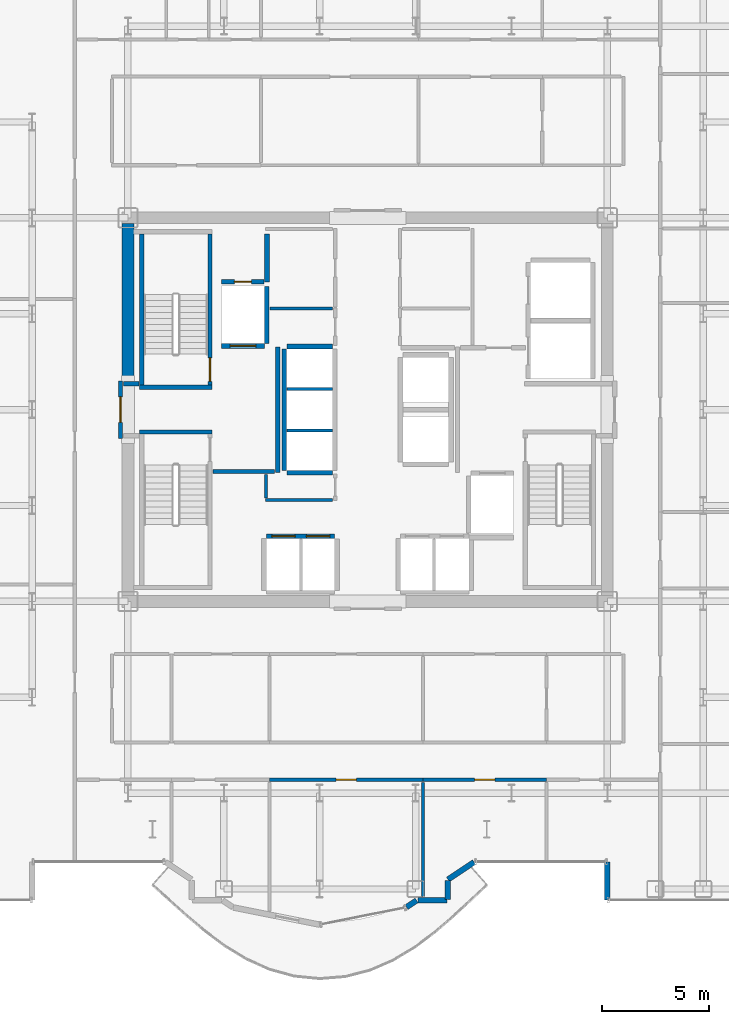
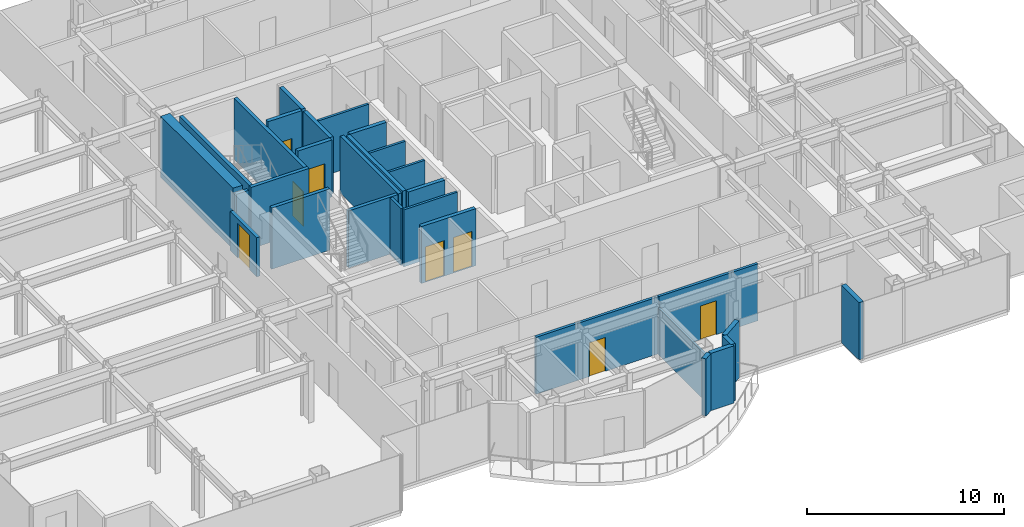
# One storey, part 16 of 23: 30 walls, 8 doors, 8 openings.
"""IFC4 building model written with IfcOpenShell, lengths in metres."""

from ifc_helpers import new_model, si_unit, direction, frame, frame_2d, origin, place, context, subcontext, project, spatial, rectangle, extrude, source, transform, mapped, material, layer, layer_set, type_object, element, fill, save


model = new_model("IFC4")

# Units and contexts
model_context = context("Model", 3, precision=1e-05, world=origin(), true_north=direction((0.0, 1.0)))
body_context = subcontext(model_context, "Body", "Model", "MODEL_VIEW")
ifc_project = project(units=[si_unit("LENGTHUNIT", "METRE"), si_unit("AREAUNIT", "SQUARE_METRE"), si_unit("VOLUMEUNIT", "CUBIC_METRE"), si_unit("PLANEANGLEUNIT", "RADIAN"), si_unit("MASSUNIT", "GRAM", prefix="KILO")], contexts=[model_context])

# Site, building, storey
site_placement = place(None, origin())
site = spatial("IfcSite", under=ifc_project, at=site_placement, CompositionType="ELEMENT")
building_placement = place(site_placement, origin())
building = spatial("IfcBuilding", under=site, at=building_placement, Name="Nefas-Gora Pilgrimage Tower", CompositionType="ELEMENT")
storey_placement = place(building_placement, frame((0.0, 0.0, 156.39990234375)))
storey = spatial("IfcBuildingStorey", under=building, at=storey_placement, Name="L38", CompositionType="ELEMENT", Elevation=156.39990234375)

# Walls
ifc_material_1 = material(Name="Concrete C60/75", Category="concrete")
ifc_layer_1 = layer(ifc_material_1, 0.550048828125)
ifc_layer_set_1 = layer_set([ifc_layer_1], Name="Concrete C60/75")
wall_type_1 = type_object("IfcWallType", Name="SW-CORE-550", PredefinedType="SHEAR", material=ifc_layer_set_1)
shared_shape_1 = source(origin(), body_context, "Body", "SweptSolid", [
    extrude(rectangle(XDim=7.375, YDim=0.550048828125, at=frame_2d((3.6875, 0.0))), origin(), (0.0, 0.0, 1.0), 3.800048828125),
])
wall_1_placement = place(storey_placement, frame((-11.25, 1.35009765625, 0.0), z_axis=(0.0, 0.0, 1.0), x_axis=(0.0, 1.0, 0.0)))
element("IfcWall", 1, at=wall_1_placement, inside=storey, type_object=wall_type_1, Name="L38 Core Shear Wall W-North", PredefinedType="SHEAR", context=body_context, shape_type="MappedRepresentation", body=[
    mapped(shared_shape_1, transform((0.0, 0.0, 0.0), x_axis=(1.0, 0.0, 0.0), y_axis=(0.0, 1.0, 0.0), z_axis=(0.0, 0.0, 1.0), scale=1.0)),
])
ifc_material_2 = material(Name="Precast concrete C40/50", Category="concrete")
ifc_layer_2 = layer(ifc_material_2, 0.260009765625)
ifc_layer_set_2 = layer_set([ifc_layer_2], Name="Precast concrete C40/50")
wall_type_2 = type_object("IfcWallType", Name="EW-PORTAL-260", PredefinedType="SOLIDWALL", material=ifc_layer_set_2)
shared_shape_2 = source(origin(), body_context, "Body", "SweptSolid", [
    extrude(rectangle(XDim=1.800048828125, YDim=0.260009765625, at=frame_2d((0.89990234375, 0.0))), origin(), (0.0, 0.0, 1.0), 3.550048828125),
])
wall_2_placement = place(storey_placement, frame((11.25, -21.219970703125, 0.0), z_axis=(0.0, 0.0, 1.0), x_axis=(0.0, -1.0, 0.0)))
element("IfcWall", 2, at=wall_2_placement, inside=storey, type_object=wall_type_2, Name="L38 Lobe Shoulder Precast Spandrel Pier 1", PredefinedType="SOLIDWALL", context=body_context, shape_type="MappedRepresentation", body=[
    mapped(shared_shape_2, transform((0.0, 0.0, 0.0), x_axis=(1.0, 0.0, 0.0), y_axis=(0.0, 1.0, 0.0), z_axis=(0.0, 0.0, 1.0), scale=1.0)),
])
shared_shape_3 = source(origin(), body_context, "Body", "SweptSolid", [
    extrude(rectangle(XDim=1.468994140625, YDim=0.260009765625, at=frame_2d((0.734375, 0.0))), origin(), (0.0, 0.0, 1.0), 3.550048828125),
])
wall_3_placement = place(storey_placement, frame((3.773193359375, -22.0517578125, 0.0), z_axis=(0.0, 0.0, 1.0), x_axis=(0.831461760506, 0.555581983884, 0.0)))
element("IfcWall", 3, at=wall_3_placement, inside=storey, type_object=wall_type_2, Name="L38 Lobe Shoulder Precast Spandrel Pier 38", PredefinedType="SOLIDWALL", context=body_context, shape_type="MappedRepresentation", body=[
    mapped(shared_shape_3, transform((0.0, 0.0, 0.0), x_axis=(1.0, 0.0, 0.0), y_axis=(0.0, 1.0, 0.0), z_axis=(0.0, 0.0, 1.0), scale=1.0)),
])
shared_shape_4 = source(origin(), body_context, "Body", "SweptSolid", [
    extrude(rectangle(XDim=0.896728515625, YDim=0.260009765625, at=frame_2d((0.4482421875, 0.0))), origin(), (0.0, 0.0, 1.0), 3.550048828125),
])
wall_4_placement = place(storey_placement, frame((3.75, -22.991943359375, 0.0), z_axis=(0.0, 0.0, 1.0), x_axis=(0.0, 1.0, 0.0)))
element("IfcWall", 4, at=wall_4_placement, inside=storey, type_object=wall_type_2, Name="L38 Lobe Shoulder Precast Spandrel Pier 37", PredefinedType="SOLIDWALL", context=body_context, shape_type="MappedRepresentation", body=[
    mapped(shared_shape_4, transform((0.0, 0.0, 0.0), x_axis=(1.0, 0.0, 0.0), y_axis=(0.0, 1.0, 0.0), z_axis=(0.0, 0.0, 1.0), scale=1.0)),
])
shared_shape_5 = source(origin(), body_context, "Body", "SweptSolid", [
    extrude(rectangle(XDim=1.369873046875, YDim=0.260009765625, at=frame_2d((0.68505859375, 0.0))), origin(), (0.0, 0.0, 1.0), 3.550048828125),
])
wall_5_placement = place(storey_placement, frame((2.35205078125, -23.02001953125, 0.0), z_axis=(0.0, 0.0, 1.0), x_axis=(1.0, 0.0, 0.0)))
element("IfcWall", 5, at=wall_5_placement, inside=storey, type_object=wall_type_2, Name="L38 Lobe Shoulder Precast Spandrel Pier 36", PredefinedType="SOLIDWALL", context=body_context, shape_type="MappedRepresentation", body=[
    mapped(shared_shape_5, transform((0.0, 0.0, 0.0), x_axis=(1.0, 0.0, 0.0), y_axis=(0.0, 1.0, 0.0), z_axis=(0.0, 0.0, 1.0), scale=1.0)),
])
shared_shape_6 = source(origin(), body_context, "Body", "SweptSolid", [
    extrude(rectangle(XDim=0.5654296875, YDim=0.260009765625, at=frame_2d((0.28271484375, 0.0))), origin(), (0.0, 0.0, 1.0), 3.550048828125),
])
wall_6_placement = place(storey_placement, frame((1.83056640625, -23.349609375, 0.0), z_axis=(0.0, 0.0, 1.0), x_axis=(0.831651492666, 0.555297933317, 0.0)))
element("IfcWall", 6, at=wall_6_placement, inside=storey, type_object=wall_type_2, Name="L38 Lobe Shoulder Precast Spandrel Pier 35", PredefinedType="SOLIDWALL", context=body_context, shape_type="MappedRepresentation", body=[
    mapped(shared_shape_6, transform((0.0, 0.0, 0.0), x_axis=(1.0, 0.0, 0.0), y_axis=(0.0, 1.0, 0.0), z_axis=(0.0, 0.0, 1.0), scale=1.0)),
])
ifc_material_3 = material(Name="Concrete C45/55", Category="concrete")
ifc_layer_3 = layer(ifc_material_3, 0.199951171875)
ifc_layer_set_3 = layer_set([ifc_layer_3], Name="Concrete C45/55")
wall_type_3 = type_object("IfcWallType", Name="IW-STAIR-200", PredefinedType="SOLIDWALL", material=ifc_layer_set_3)
shared_shape_7 = source(origin(), body_context, "Body", "SweptSolid", [
    extrude(rectangle(XDim=3.39990234375, YDim=0.199951171875, at=frame_2d((1.699951171875, 0.0))), origin(), (0.0, 0.0, 1.0), 3.800048828125),
])
for number, where, z_axis, x_axis, name in (
    (7, (-7.300048828125, 1.050048828125, 0.0), (0.0, 0.0, 1.0), (-1.0, 0.0, 0.0), "L38 Stairwell Shear Wall ST-01-near"),
    (8, (-10.699951171875, -1.050048828125, 0.0), (0.0, 0.0, 1.0), (1.0, 0.0, 0.0), "L38 Stairwell Shear Wall ST-03-near"),
):
    element("IfcWall", number, at=place(storey_placement, frame(where, z_axis=z_axis, x_axis=x_axis)), inside=storey, type_object=wall_type_3, Name=name, PredefinedType="SOLIDWALL", context=body_context, shape_type="MappedRepresentation", body=[
        mapped(shared_shape_7, transform((0.0, 0.0, 0.0), x_axis=(1.0, 0.0, 0.0), y_axis=(0.0, 1.0, 0.0), z_axis=(0.0, 0.0, 1.0), scale=1.0)),
    ])

# Wall, opening, door
shared_shape_8 = source(origin(), body_context, "Body", "SweptSolid", [
    extrude(rectangle(XDim=7.10009765625, YDim=0.199951171875, at=frame_2d((3.550048828125, 0.0))), origin(), (0.0, 0.0, 1.0), 3.800048828125),
])
wall_7_placement = place(storey_placement, frame((-7.39990234375, 1.14990234375, 0.0), z_axis=(0.0, 0.0, 1.0), x_axis=(0.0, 1.0, 0.0)))
wall_7 = element("IfcWall", 9, at=wall_7_placement, inside=storey, type_object=wall_type_3, Name="L38 Stairwell Shear Wall ST-01-left", PredefinedType="SOLIDWALL", context=body_context, shape_type="MappedRepresentation", body=[
    mapped(shared_shape_8, transform((0.0, 0.0, 0.0), x_axis=(1.0, 0.0, 0.0), y_axis=(0.0, 1.0, 0.0), z_axis=(0.0, 0.0, 1.0), scale=1.0)),
])
opening_1_placement = place(wall_7_placement, frame((0.179931640625, 0.0, 0.0)))
opening_1 = element("IfcOpeningElement", 10, at=opening_1_placement, cuts=wall_7, Name="Opening ID-ST1", PredefinedType="OPENING", context=body_context, shape_type="SweptSolid", body=[
    extrude(rectangle(XDim=1.10009765625, YDim=2.14990234375, at=frame_2d((0.550048828125, 1.074951171875))), frame((0.0, 0.10986328125, 0.0), z_axis=(0.0, -1.0, 0.0), x_axis=(1.0, 0.0, 0.0)), (0.0, 0.0, 1.0), 0.219970703125),
])
ifc_material_4 = material(Name="Painted galvanised steel fire stair door", Category="steel")
door_type_1 = type_object("IfcDoorType", Name="DR-INT-STAIR-1100", OperationType="NOTDEFINED", PredefinedType="DOOR", material=ifc_material_4)
shared_shape_9 = source(origin(), body_context, "Body", "SweptSolid", [
    extrude(rectangle(XDim=1.10009765625, YDim=2.14990234375, at=frame_2d((0.550048828125, 1.074951171875))), frame((0.0, 0.02490234375, 0.0), z_axis=(0.0, -1.0, 0.0), x_axis=(1.0, 0.0, 0.0)), (0.0, 0.0, 1.0), 0.050048828125),
])
door_1_placement = place(opening_1_placement, origin())
door_1 = element("IfcDoor", 11, at=door_1_placement, inside=storey, type_object=door_type_1, Name="L38 Protected Exit Stair Door ST-01", OperationType="SINGLE_SWING_RIGHT", OverallHeight=2.14990234375, OverallWidth=1.10009765625, PredefinedType="DOOR", context=body_context, shape_type="MappedRepresentation", body=[
    mapped(shared_shape_9, transform((0.0, 0.0, 0.0), x_axis=(1.0, 0.0, 0.0), y_axis=(0.0, 1.0, 0.0), z_axis=(0.0, 0.0, 1.0), scale=1.0)),
])
fill(opening_1, door_1)

# Wall
wall_8_placement = place(storey_placement, frame((-10.60009765625, 1.14990234375, 0.0), z_axis=(0.0, 0.0, 1.0), x_axis=(0.0, 1.0, 0.0)))
element("IfcWall", 12, at=wall_8_placement, inside=storey, type_object=wall_type_3, Name="L38 Stairwell Shear Wall ST-01-right", PredefinedType="SOLIDWALL", context=body_context, shape_type="MappedRepresentation", body=[
    mapped(shared_shape_8, transform((0.0, 0.0, 0.0), x_axis=(1.0, 0.0, 0.0), y_axis=(0.0, 1.0, 0.0), z_axis=(0.0, 0.0, 1.0), scale=1.0)),
])

# Wall, opening, door
ifc_material_5 = material(Name="Concrete C40/50", Category="concrete")
ifc_layer_4 = layer(ifc_material_5, 0.219970703125)
ifc_layer_set_4 = layer_set([ifc_layer_4], Name="Concrete C40/50")
wall_type_4 = type_object("IfcWallType", Name="IW-SHAFT-220", PredefinedType="SOLIDWALL", material=ifc_layer_set_4)
shared_shape_10 = source(origin(), body_context, "Body", "SweptSolid", [
    extrude(rectangle(XDim=2.0, YDim=0.219970703125, at=frame_2d((1.0, 0.0))), origin(), (0.0, 0.0, 1.0), 3.53515625),
])
wall_9_placement = place(storey_placement, frame((-6.85009765625, 2.989990234375, 0.0), z_axis=(0.0, 0.0, 1.0), x_axis=(1.0, 0.0, 0.0)))
wall_9 = element("IfcWall", 13, at=wall_9_placement, inside=storey, type_object=wall_type_4, Name="L38 Hoistway Wall FFL-01-S", PredefinedType="SOLIDWALL", context=body_context, shape_type="MappedRepresentation", body=[
    mapped(shared_shape_10, transform((0.0, 0.0, 0.0), x_axis=(1.0, 0.0, 0.0), y_axis=(0.0, 1.0, 0.0), z_axis=(0.0, 0.0, 1.0), scale=1.0)),
])
opening_2_placement = place(wall_9_placement, frame((0.39990234375, 0.0, 0.0)))
opening_2 = element("IfcOpeningElement", 14, at=opening_2_placement, cuts=wall_9, Name="Opening LD-FF", PredefinedType="OPENING", context=body_context, shape_type="SweptSolid", body=[
    extrude(rectangle(XDim=1.199951171875, YDim=2.199951171875, at=frame_2d((0.60009765625, 1.10009765625))), frame((0.0, 0.119873046875, 0.0), z_axis=(0.0, -1.0, 0.0), x_axis=(1.0, 0.0, 0.0)), (0.0, 0.0, 1.0), 0.239990234375),
])
ifc_material_6 = material(Name="Fire-service sliding lift landing door")
door_type_2 = type_object("IfcDoorType", Name="DR-LIFT-FSAE-1200", OperationType="SLIDING_TO_LEFT", PredefinedType="DOOR", material=ifc_material_6)
shared_shape_11 = source(origin(), body_context, "Body", "SweptSolid", [
    extrude(rectangle(XDim=1.199951171875, YDim=2.199951171875, at=frame_2d((0.60009765625, 1.10009765625))), frame((0.0, 0.02490234375, 0.0), z_axis=(0.0, -1.0, 0.0), x_axis=(1.0, 0.0, 0.0)), (0.0, 0.0, 1.0), 0.050048828125),
])
door_2_placement = place(opening_2_placement, origin())
door_2 = element("IfcDoor", 15, at=door_2_placement, inside=storey, type_object=door_type_2, Name="L38 Sliding Lift Landing Door FFL-01", OperationType="SLIDING_TO_LEFT", OverallHeight=2.199951171875, OverallWidth=1.199951171875, PredefinedType="DOOR", context=body_context, shape_type="MappedRepresentation", body=[
    mapped(shared_shape_11, transform((0.0, 0.0, 0.0), x_axis=(1.0, 0.0, 0.0), y_axis=(0.0, 1.0, 0.0), z_axis=(0.0, 0.0, 1.0), scale=1.0)),
])
fill(opening_2, door_2)

# Wall
shared_shape_12 = source(origin(), body_context, "Body", "SweptSolid", [
    extrude(rectangle(XDim=2.679931640625, YDim=0.219970703125, at=frame_2d((1.33984375, 0.0))), origin(), (0.0, 0.0, 1.0), 3.53515625),
])
wall_10_placement = place(storey_placement, frame((-4.739990234375, 3.110107421875, 0.0), z_axis=(0.0, 0.0, 1.0), x_axis=(0.0, 1.0, 0.0)))
element("IfcWall", 16, at=wall_10_placement, inside=storey, type_object=wall_type_4, Name="L38 Hoistway Wall FFL-01-E", PredefinedType="SOLIDWALL", context=body_context, shape_type="MappedRepresentation", body=[
    mapped(shared_shape_12, transform((0.0, 0.0, 0.0), x_axis=(1.0, 0.0, 0.0), y_axis=(0.0, 1.0, 0.0), z_axis=(0.0, 0.0, 1.0), scale=1.0)),
])

# Wall, openings, doors
shared_shape_13 = source(origin(), body_context, "Body", "SweptSolid", [
    extrude(rectangle(XDim=3.199951171875, YDim=0.219970703125, at=frame_2d((1.60009765625, 0.0))), origin(), (0.0, 0.0, 1.0), 3.53515625),
])
wall_11_placement = place(storey_placement, frame((-1.550048828125, -5.93994140625, 0.0), z_axis=(0.0, 0.0, 1.0), x_axis=(-1.0, 0.0, 0.0)))
wall_11 = element("IfcWall", 17, at=wall_11_placement, inside=storey, type_object=wall_type_4, Name="L38 Hoistway Wall PL2-W-N", PredefinedType="SOLIDWALL", context=body_context, shape_type="MappedRepresentation", body=[
    mapped(shared_shape_13, transform((0.0, 0.0, 0.0), x_axis=(1.0, 0.0, 0.0), y_axis=(0.0, 1.0, 0.0), z_axis=(0.0, 0.0, 1.0), scale=1.0)),
])
opening_3_placement = place(wall_11_placement, frame((1.85009765625, 0.0, 0.0)))
opening_3 = element("IfcOpeningElement", 18, at=opening_3_placement, cuts=wall_11, Name="Opening LD-01", PredefinedType="OPENING", context=body_context, shape_type="SweptSolid", body=[
    extrude(rectangle(XDim=1.10009765625, YDim=2.199951171875, at=frame_2d((0.550048828125, 1.10009765625))), frame((0.0, 0.119873046875, 0.0), z_axis=(0.0, -1.0, 0.0), x_axis=(1.0, 0.0, 0.0)), (0.0, 0.0, 1.0), 0.239990234375),
])
opening_4_placement = place(wall_11_placement, frame((0.22509765625, 0.0, 0.0)))
opening_4 = element("IfcOpeningElement", 19, at=opening_4_placement, cuts=wall_11, Name="Opening LD-01", PredefinedType="OPENING", context=body_context, shape_type="SweptSolid", body=[
    extrude(rectangle(XDim=1.10009765625, YDim=2.199951171875, at=frame_2d((0.550048828125, 1.10009765625))), frame((0.0, 0.119873046875, 0.0), z_axis=(0.0, -1.0, 0.0), x_axis=(1.0, 0.0, 0.0)), (0.0, 0.0, 1.0), 0.239990234375),
])
ifc_material_7 = material(Name="Brushed stainless sliding lift landing door")
door_type_3 = type_object("IfcDoorType", Name="DR-LIFT-PASS-1100", OperationType="DOUBLE_DOOR_SLIDING", PredefinedType="DOOR", material=ifc_material_7)
shared_shape_14 = source(origin(), body_context, "Body", "SweptSolid", [
    extrude(rectangle(XDim=1.10009765625, YDim=2.199951171875, at=frame_2d((0.550048828125, 1.10009765625))), frame((0.0, 0.02490234375, 0.0), z_axis=(0.0, -1.0, 0.0), x_axis=(1.0, 0.0, 0.0)), (0.0, 0.0, 1.0), 0.050048828125),
])
door_3_placement = place(opening_3_placement, origin())
door_3 = element("IfcDoor", 20, at=door_3_placement, inside=storey, type_object=door_type_3, Name="L38 Sliding Lift Landing Door PL2-01", OperationType="DOUBLE_DOOR_SLIDING", OverallHeight=2.199951171875, OverallWidth=1.10009765625, PredefinedType="DOOR", context=body_context, shape_type="MappedRepresentation", body=[
    mapped(shared_shape_14, transform((0.0, 0.0, 0.0), x_axis=(1.0, 0.0, 0.0), y_axis=(0.0, 1.0, 0.0), z_axis=(0.0, 0.0, 1.0), scale=1.0)),
])
fill(opening_3, door_3)
door_4_placement = place(opening_4_placement, origin())
door_4 = element("IfcDoor", 21, at=door_4_placement, inside=storey, type_object=door_type_3, Name="L38 Sliding Lift Landing Door PL2-02", OperationType="DOUBLE_DOOR_SLIDING", OverallHeight=2.199951171875, OverallWidth=1.10009765625, PredefinedType="DOOR", context=body_context, shape_type="MappedRepresentation", body=[
    mapped(shared_shape_14, transform((0.0, 0.0, 0.0), x_axis=(1.0, 0.0, 0.0), y_axis=(0.0, 1.0, 0.0), z_axis=(0.0, 0.0, 1.0), scale=1.0)),
])
fill(opening_4, door_4)

# Walls
shared_shape_15 = source(origin(), body_context, "Body", "SweptSolid", [
    extrude(rectangle(XDim=5.7001953125, YDim=0.219970703125, at=frame_2d((2.85009765625, 0.0))), origin(), (0.0, 0.0, 1.0), 3.53515625),
])
wall_12_placement = place(storey_placement, frame((-3.909912109375, 2.85009765625, 0.0), z_axis=(0.0, 0.0, 1.0), x_axis=(0.0, -1.0, 0.0)))
element("IfcWall", 22, at=wall_12_placement, inside=storey, type_object=wall_type_4, Name="L38 Hoistway Wall PL3-01-03-W", PredefinedType="SOLIDWALL", context=body_context, shape_type="MappedRepresentation", body=[
    mapped(shared_shape_15, transform((0.0, 0.0, 0.0), x_axis=(1.0, 0.0, 0.0), y_axis=(0.0, 1.0, 0.0), z_axis=(0.0, 0.0, 1.0), scale=1.0)),
])
shared_shape_16 = source(origin(), body_context, "Body", "SweptSolid", [
    extrude(rectangle(XDim=2.130126953125, YDim=0.219970703125, at=frame_2d((1.06494140625, 0.0))), origin(), (0.0, 0.0, 1.0), 3.53515625),
])
for number, where, z_axis, x_axis, name in (
    (23, (-3.7900390625, -2.9599609375, 0.0), (0.0, 0.0, 1.0), (1.0, 0.0, 0.0), "L38 Hoistway Wall PL3-01-S"),
    (24, (-1.659912109375, 2.9599609375, 0.0), (0.0, 0.0, 1.0), (-1.0, 0.0, 0.0), "L38 Hoistway Wall PL3-03-N"),
):
    element("IfcWall", number, at=place(storey_placement, frame(where, z_axis=z_axis, x_axis=x_axis)), inside=storey, type_object=wall_type_4, Name=name, PredefinedType="SOLIDWALL", context=body_context, shape_type="MappedRepresentation", body=[
        mapped(shared_shape_16, transform((0.0, 0.0, 0.0), x_axis=(1.0, 0.0, 0.0), y_axis=(0.0, 1.0, 0.0), z_axis=(0.0, 0.0, 1.0), scale=1.0)),
    ])
ifc_material_8 = material(Name="Gypsum twin-stud partition")
ifc_layer_5 = layer(ifc_material_8, 0.139892578125)
ifc_layer_set_5 = layer_set([ifc_layer_5], Name="Gypsum twin-stud partition")
wall_type_5 = type_object("IfcWallType", Name="IW-UNIT-140", PredefinedType="PARTITIONING", material=ifc_layer_set_5)
shared_shape_17 = source(origin(), body_context, "Body", "SweptSolid", [
    extrude(rectangle(XDim=2.130126953125, YDim=0.139892578125, at=frame_2d((1.06494140625, 0.0))), origin(), (0.0, 0.0, 1.0), 3.53515625),
])
for number, where, z_axis, x_axis, name in (
    (25, (-3.7900390625, -0.97509765625, 0.0), (0.0, 0.0, 1.0), (1.0, 0.0, 0.0), "L38 Hoistway Wall PL3-01-02-DIV"),
    (26, (-3.7900390625, 0.97509765625, 0.0), (0.0, 0.0, 1.0), (1.0, 0.0, 0.0), "L38 Hoistway Wall PL3-02-03-DIV"),
):
    element("IfcWall", number, at=place(storey_placement, frame(where, z_axis=z_axis, x_axis=x_axis)), inside=storey, type_object=wall_type_5, Name=name, PredefinedType="PARTITIONING", context=body_context, shape_type="MappedRepresentation", body=[
        mapped(shared_shape_17, transform((0.0, 0.0, 0.0), x_axis=(1.0, 0.0, 0.0), y_axis=(0.0, 1.0, 0.0), z_axis=(0.0, 0.0, 1.0), scale=1.0)),
    ])

# Wall, opening, door
ifc_material_9 = material(Name="Gypsum fire-rated shaftwall")
ifc_layer_6 = layer(ifc_material_9, 0.199951171875)
ifc_layer_set_6 = layer_set([ifc_layer_6], Name="Gypsum fire-rated shaftwall")
wall_type_6 = type_object("IfcWallType", Name="IW-FFLOB-200", PredefinedType="PARTITIONING", material=ifc_layer_set_6)
shared_shape_18 = source(origin(), body_context, "Body", "SweptSolid", [
    extrude(rectangle(XDim=2.7001953125, YDim=0.199951171875, at=frame_2d((1.35009765625, 0.0))), origin(), (0.0, 0.0, 1.0), 2.425048828125),
])
wall_13_placement = place(storey_placement, frame((-11.60009765625, -1.35009765625, 0.0), z_axis=(0.0, 0.0, 1.0), x_axis=(0.0, 1.0, 0.0)))
wall_13 = element("IfcWall", 27, at=wall_13_placement, inside=storey, type_object=wall_type_6, Name="L38 FF Lobby West Portal Wall 4", PredefinedType="PARTITIONING", context=body_context, shape_type="MappedRepresentation", body=[
    mapped(shared_shape_18, transform((0.0, 0.0, 0.0), x_axis=(1.0, 0.0, 0.0), y_axis=(0.0, 1.0, 0.0), z_axis=(0.0, 0.0, 1.0), scale=1.0)),
])
opening_5_placement = place(wall_13_placement, frame((0.75, 0.0, 0.0)))
opening_5 = element("IfcOpeningElement", 28, at=opening_5_placement, cuts=wall_13, Name="Opening ID-FF1", PredefinedType="OPENING", context=body_context, shape_type="SweptSolid", body=[
    extrude(rectangle(XDim=1.199951171875, YDim=2.14990234375, at=frame_2d((0.60009765625, 1.074951171875))), frame((0.0, 0.10986328125, 0.0), z_axis=(0.0, -1.0, 0.0), x_axis=(1.0, 0.0, 0.0)), (0.0, 0.0, 1.0), 0.219970703125),
])
ifc_material_10 = material(Name="Smoke-sealed steel firefighting lobby door", Category="steel")
door_type_4 = type_object("IfcDoorType", Name="DR-INT-FFLOB-1200", OperationType="NOTDEFINED", PredefinedType="DOOR", material=ifc_material_10)
shared_shape_19 = source(origin(), body_context, "Body", "SweptSolid", [
    extrude(rectangle(XDim=1.199951171875, YDim=2.14990234375, at=frame_2d((0.60009765625, 1.074951171875))), frame((0.0, 0.02490234375, 0.0), z_axis=(0.0, -1.0, 0.0), x_axis=(1.0, 0.0, 0.0)), (0.0, 0.0, 1.0), 0.050048828125),
])
door_5_placement = place(opening_5_placement, origin())
door_5 = element("IfcDoor", 29, at=door_5_placement, inside=storey, type_object=door_type_4, Name="L38 FF Lobby West Portal Door 2", OperationType="SINGLE_SWING_RIGHT", OverallHeight=2.14990234375, OverallWidth=1.199951171875, PredefinedType="DOOR", context=body_context, shape_type="MappedRepresentation", body=[
    mapped(shared_shape_19, transform((0.0, 0.0, 0.0), x_axis=(1.0, 0.0, 0.0), y_axis=(0.0, 1.0, 0.0), z_axis=(0.0, 0.0, 1.0), scale=1.0)),
])
fill(opening_5, door_5)

# Walls
shared_shape_20 = source(origin(), body_context, "Body", "SweptSolid", [
    extrude(rectangle(XDim=5.89990234375, YDim=0.199951171875, at=frame_2d((2.949951171875, 0.0))), origin(), (0.0, 0.0, 1.0), 3.53515625),
])
wall_14_placement = place(storey_placement, frame((-4.219970703125, -2.949951171875, 0.0), z_axis=(0.0, 0.0, 1.0), x_axis=(0.0, 1.0, 0.0)))
element("IfcWall", 30, at=wall_14_placement, inside=storey, type_object=wall_type_6, Name="L38 FF Lobby West Inner Wall Wall 5", PredefinedType="PARTITIONING", context=body_context, shape_type="MappedRepresentation", body=[
    mapped(shared_shape_20, transform((0.0, 0.0, 0.0), x_axis=(1.0, 0.0, 0.0), y_axis=(0.0, 1.0, 0.0), z_axis=(0.0, 0.0, 1.0), scale=1.0)),
])
shared_shape_21 = source(origin(), body_context, "Body", "SweptSolid", [
    extrude(rectangle(XDim=2.89990234375, YDim=0.199951171875, at=frame_2d((1.449951171875, 0.0))), origin(), (0.0, 0.0, 1.0), 3.53515625),
])
wall_15_placement = place(storey_placement, frame((-7.260009765625, -2.89990234375, 0.0), z_axis=(0.0, 0.0, 1.0), x_axis=(1.0, 0.0, 0.0)))
element("IfcWall", 31, at=wall_15_placement, inside=storey, type_object=wall_type_6, Name="L38 FF Lobby West South Wall Wall 6", PredefinedType="PARTITIONING", context=body_context, shape_type="MappedRepresentation", body=[
    mapped(shared_shape_21, transform((0.0, 0.0, 0.0), x_axis=(1.0, 0.0, 0.0), y_axis=(0.0, 1.0, 0.0), z_axis=(0.0, 0.0, 1.0), scale=1.0)),
])
shared_shape_22 = source(origin(), body_context, "Body", "SweptSolid", [
    extrude(rectangle(XDim=0.719970703125, YDim=0.199951171875, at=frame_2d((0.35986328125, 0.0))), origin(), (0.0, 0.0, 1.0), 3.53515625),
])
wall_16_placement = place(storey_placement, frame((-11.4599609375, 1.219970703125, 0.0), z_axis=(0.0, 0.0, 1.0), x_axis=(1.0, 0.0, 0.0)))
element("IfcWall", 32, at=wall_16_placement, inside=storey, type_object=wall_type_6, Name="L38 FF Lobby West Throat N Wall 7", PredefinedType="PARTITIONING", context=body_context, shape_type="MappedRepresentation", body=[
    mapped(shared_shape_22, transform((0.0, 0.0, 0.0), x_axis=(1.0, 0.0, 0.0), y_axis=(0.0, 1.0, 0.0), z_axis=(0.0, 0.0, 1.0), scale=1.0)),
])
shared_shape_23 = source(origin(), body_context, "Body", "SweptSolid", [
    extrude(rectangle(XDim=3.150146484375, YDim=0.139892578125, at=frame_2d((1.5751953125, 0.0))), origin(), (0.0, 0.0, 1.0), 3.53515625),
])
wall_17_placement = place(storey_placement, frame((-4.7900390625, -4.25, 0.0), z_axis=(0.0, 0.0, 1.0), x_axis=(1.0, 0.0, 0.0)))
element("IfcWall", 33, at=wall_17_placement, inside=storey, type_object=wall_type_5, Name="L38 Guest Self-Service Laundry Room Partition Wall 27", PredefinedType="PARTITIONING", context=body_context, shape_type="MappedRepresentation", body=[
    mapped(shared_shape_23, transform((0.0, 0.0, 0.0), x_axis=(1.0, 0.0, 0.0), y_axis=(0.0, 1.0, 0.0), z_axis=(0.0, 0.0, 1.0), scale=1.0)),
])
shared_shape_24 = source(origin(), body_context, "Body", "SweptSolid", [
    extrude(rectangle(XDim=2.9501953125, YDim=0.139892578125, at=frame_2d((1.47509765625, 0.0))), origin(), (0.0, 0.0, 1.0), 3.53515625),
])
wall_18_placement = place(storey_placement, frame((-4.590087890625, 4.75, 0.0), z_axis=(0.0, 0.0, 1.0), x_axis=(1.0, 0.0, 0.0)))
element("IfcWall", 34, at=wall_18_placement, inside=storey, type_object=wall_type_5, Name="L38 Housekeeping and Linen Store Partition Wall 19", PredefinedType="PARTITIONING", context=body_context, shape_type="MappedRepresentation", body=[
    mapped(shared_shape_24, transform((0.0, 0.0, 0.0), x_axis=(1.0, 0.0, 0.0), y_axis=(0.0, 1.0, 0.0), z_axis=(0.0, 0.0, 1.0), scale=1.0)),
])
shared_shape_25 = source(origin(), body_context, "Body", "SweptSolid", [
    extrude(rectangle(XDim=5.360107421875, YDim=0.139892578125, at=frame_2d((2.68017578125, 0.0))), origin(), (0.0, 0.0, 1.0), 2.875),
])
wall_19_placement = place(storey_placement, frame((2.594970703125, -22.85009765625, 0.0), z_axis=(0.0, 0.0, 1.0), x_axis=(0.0, 1.0, 0.0)))
element("IfcWall", 35, at=wall_19_placement, inside=storey, type_object=wall_type_5, Name="L38 Pilgrim Contemplative Lounge Partition Wall 83", PredefinedType="PARTITIONING", context=body_context, shape_type="MappedRepresentation", body=[
    mapped(shared_shape_25, transform((0.0, 0.0, 0.0), x_axis=(1.0, 0.0, 0.0), y_axis=(0.0, 1.0, 0.0), z_axis=(0.0, 0.0, 1.0), scale=1.0)),
])
shared_shape_26 = source(origin(), body_context, "Body", "SweptSolid", [
    extrude(rectangle(XDim=2.25, YDim=0.219970703125, at=frame_2d((1.125, 0.0))), origin(), (0.0, 0.0, 1.0), 3.53515625),
])
wall_20_placement = place(storey_placement, frame((-4.719970703125, 6.0, 0.0), z_axis=(0.0, 0.0, 1.0), x_axis=(0.0, 1.0, 0.0)))
element("IfcWall", 36, at=wall_20_placement, inside=storey, type_object=wall_type_4, Name="L38 Riser Shaft Wall 1", PredefinedType="SOLIDWALL", context=body_context, shape_type="MappedRepresentation", body=[
    mapped(shared_shape_26, transform((0.0, 0.0, 0.0), x_axis=(1.0, 0.0, 0.0), y_axis=(0.0, 1.0, 0.0), z_axis=(0.0, 0.0, 1.0), scale=1.0)),
])

# Wall, opening, door
shared_shape_27 = source(origin(), body_context, "Body", "SweptSolid", [
    extrude(rectangle(XDim=1.97998046875, YDim=0.219970703125, at=frame_2d((0.989990234375, 0.0))), origin(), (0.0, 0.0, 1.0), 3.53515625),
])
wall_21_placement = place(storey_placement, frame((-6.85009765625, 6.0, 0.0), z_axis=(0.0, 0.0, 1.0), x_axis=(1.0, 0.0, 0.0)))
wall_21 = element("IfcWall", 37, at=wall_21_placement, inside=storey, type_object=wall_type_4, Name="L38 Riser Shaft Wall 2", PredefinedType="SOLIDWALL", context=body_context, shape_type="MappedRepresentation", body=[
    mapped(shared_shape_27, transform((0.0, 0.0, 0.0), x_axis=(1.0, 0.0, 0.0), y_axis=(0.0, 1.0, 0.0), z_axis=(0.0, 0.0, 1.0), scale=1.0)),
])
opening_6_placement = place(wall_21_placement, frame((0.590087890625, 0.0, 0.0)))
opening_6 = element("IfcOpeningElement", 38, at=opening_6_placement, cuts=wall_21, Name="Opening ID-TR1", PredefinedType="OPENING", context=body_context, shape_type="SweptSolid", body=[
    extrude(rectangle(XDim=0.800048828125, YDim=2.0, at=frame_2d((0.39990234375, 1.0))), frame((0.0, 0.119873046875, 0.0), z_axis=(0.0, -1.0, 0.0), x_axis=(1.0, 0.0, 0.0)), (0.0, 0.0, 1.0), 0.239990234375),
])
ifc_material_11 = material(Name="Riser maintenance fire access door")
door_type_5 = type_object("IfcDoorType", Name="DR-INT-TRAP-800", OperationType="NOTDEFINED", PredefinedType="TRAPDOOR", material=ifc_material_11)
shared_shape_28 = source(origin(), body_context, "Body", "SweptSolid", [
    extrude(rectangle(XDim=0.800048828125, YDim=2.0, at=frame_2d((0.39990234375, 1.0))), frame((0.0, 0.02490234375, 0.0), z_axis=(0.0, -1.0, 0.0), x_axis=(1.0, 0.0, 0.0)), (0.0, 0.0, 1.0), 0.050048828125),
])
door_6_placement = place(opening_6_placement, origin())
door_6 = element("IfcDoor", 39, at=door_6_placement, inside=storey, type_object=door_type_5, Name="L38 Riser Shaft Door 1", OperationType="SINGLE_SWING_LEFT", OverallHeight=2.0, OverallWidth=0.800048828125, PredefinedType="TRAPDOOR", context=body_context, shape_type="MappedRepresentation", body=[
    mapped(shared_shape_28, transform((0.0, 0.0, 0.0), x_axis=(1.0, 0.0, 0.0), y_axis=(0.0, 1.0, 0.0), z_axis=(0.0, 0.0, 1.0), scale=1.0)),
])
fill(opening_6, door_6)

# Wall
shared_shape_29 = source(origin(), body_context, "Body", "SweptSolid", [
    extrude(rectangle(XDim=1.099853515625, YDim=0.139892578125, at=frame_2d((0.5498046875, 0.0))), origin(), (0.0, 0.0, 1.0), 3.53515625),
])
wall_22_placement = place(storey_placement, frame((-4.780029296875, -4.139892578125, 0.0), z_axis=(0.0, 0.0, 1.0), x_axis=(0.0, 1.0, 0.0)))
element("IfcWall", 40, at=wall_22_placement, inside=storey, type_object=wall_type_5, Name="L38 Guest Self-Service Laundry Room Partition Wall 28", PredefinedType="PARTITIONING", context=body_context, shape_type="MappedRepresentation", body=[
    mapped(shared_shape_29, transform((0.0, 0.0, 0.0), x_axis=(1.0, 0.0, 0.0), y_axis=(0.0, 1.0, 0.0), z_axis=(0.0, 0.0, 1.0), scale=1.0)),
])

# Wall, opening, door
ifc_material_12 = material(Name="Gypsum acoustic stud partition")
ifc_layer_7 = layer(ifc_material_12, 0.159912109375)
ifc_layer_set_7 = layer_set([ifc_layer_7], Name="Gypsum acoustic stud partition")
wall_type_7 = type_object("IfcWallType", Name="IW-CORR-160", PredefinedType="PARTITIONING", material=ifc_layer_set_7)
shared_shape_30 = source(origin(), body_context, "Body", "SweptSolid", [
    extrude(rectangle(XDim=5.81005859375, YDim=0.159912109375, at=frame_2d((2.905029296875, 0.0))), origin(), (0.0, 0.0, 1.0), 3.53515625),
])
wall_23_placement = place(storey_placement, frame((2.594970703125, -17.3701171875, 0.0), z_axis=(0.0, 0.0, 1.0), x_axis=(1.0, 0.0, 0.0)))
wall_23 = element("IfcWall", 41, at=wall_23_placement, inside=storey, type_object=wall_type_7, Name="L38 Pilgrim Contemplative Lounge Partition Wall 87", PredefinedType="PARTITIONING", context=body_context, shape_type="MappedRepresentation", body=[
    mapped(shared_shape_30, transform((0.0, 0.0, 0.0), x_axis=(1.0, 0.0, 0.0), y_axis=(0.0, 1.0, 0.0), z_axis=(0.0, 0.0, 1.0), scale=1.0)),
])
opening_7_placement = place(wall_23_placement, frame((2.429931640625, 0.0, 0.0)))
opening_7 = element("IfcOpeningElement", 42, at=opening_7_placement, cuts=wall_23, Name="Opening ID-GR1", PredefinedType="OPENING", context=body_context, shape_type="SweptSolid", body=[
    extrude(rectangle(XDim=0.949951171875, YDim=2.10009765625, at=frame_2d((0.47509765625, 1.050048828125))), frame((0.0, 0.08984375, 0.0), z_axis=(0.0, -1.0, 0.0), x_axis=(1.0, 0.0, 0.0)), (0.0, 0.0, 1.0), 0.179931640625),
])
ifc_material_13 = material(Name="Solid core oak fire-rated guest entrance door")
door_type_6 = type_object("IfcDoorType", Name="DR-INT-GUEST-950", OperationType="NOTDEFINED", PredefinedType="DOOR", material=ifc_material_13)
shared_shape_31 = source(origin(), body_context, "Body", "SweptSolid", [
    extrude(rectangle(XDim=0.949951171875, YDim=2.10009765625, at=frame_2d((0.47509765625, 1.050048828125))), frame((0.0, 0.02490234375, 0.0), z_axis=(0.0, -1.0, 0.0), x_axis=(1.0, 0.0, 0.0)), (0.0, 0.0, 1.0), 0.050048828125),
])
door_7_placement = place(opening_7_placement, origin())
door_7 = element("IfcDoor", 43, at=door_7_placement, inside=storey, type_object=door_type_6, Name="L38 Pilgrim Contemplative Lounge Door 38", OperationType="SINGLE_SWING_RIGHT", OverallHeight=2.10009765625, OverallWidth=0.949951171875, PredefinedType="DOOR", context=body_context, shape_type="MappedRepresentation", body=[
    mapped(shared_shape_31, transform((0.0, 0.0, 0.0), x_axis=(1.0, 0.0, 0.0), y_axis=(0.0, 1.0, 0.0), z_axis=(0.0, 0.0, 1.0), scale=1.0)),
])
fill(opening_7, door_7)

shared_shape_32 = source(origin(), body_context, "Body", "SweptSolid", [
    extrude(rectangle(XDim=7.2099609375, YDim=0.159912109375, at=frame_2d((3.60498046875, 0.0))), origin(), (0.0, 0.0, 1.0), 3.53515625),
])
wall_24_placement = place(storey_placement, frame((-4.60498046875, -17.3701171875, 0.0), z_axis=(0.0, 0.0, 1.0), x_axis=(1.0, 0.0, 0.0)))
wall_24 = element("IfcWall", 44, at=wall_24_placement, inside=storey, type_object=wall_type_7, Name="L38 Pilgrim Contemplative Lounge Partition Wall 82", PredefinedType="PARTITIONING", context=body_context, shape_type="MappedRepresentation", body=[
    mapped(shared_shape_32, transform((0.0, 0.0, 0.0), x_axis=(1.0, 0.0, 0.0), y_axis=(0.0, 1.0, 0.0), z_axis=(0.0, 0.0, 1.0), scale=1.0)),
])
opening_8_placement = place(wall_24_placement, frame((3.1298828125, 0.0, 0.0)))
opening_8 = element("IfcOpeningElement", 45, at=opening_8_placement, cuts=wall_24, Name="Opening ID-GR1", PredefinedType="OPENING", context=body_context, shape_type="SweptSolid", body=[
    extrude(rectangle(XDim=0.949951171875, YDim=2.10009765625, at=frame_2d((0.47509765625, 1.050048828125))), frame((0.0, 0.08984375, 0.0), z_axis=(0.0, -1.0, 0.0), x_axis=(1.0, 0.0, 0.0)), (0.0, 0.0, 1.0), 0.179931640625),
])
door_8_placement = place(opening_8_placement, origin())
door_8 = element("IfcDoor", 46, at=door_8_placement, inside=storey, type_object=door_type_6, Name="L38 Pilgrim Contemplative Lounge Door 36", OperationType="SINGLE_SWING_RIGHT", OverallHeight=2.10009765625, OverallWidth=0.949951171875, PredefinedType="DOOR", context=body_context, shape_type="MappedRepresentation", body=[
    mapped(shared_shape_31, transform((0.0, 0.0, 0.0), x_axis=(1.0, 0.0, 0.0), y_axis=(0.0, 1.0, 0.0), z_axis=(0.0, 0.0, 1.0), scale=1.0)),
])
fill(opening_8, door_8)

save(model, "model.ifc")
